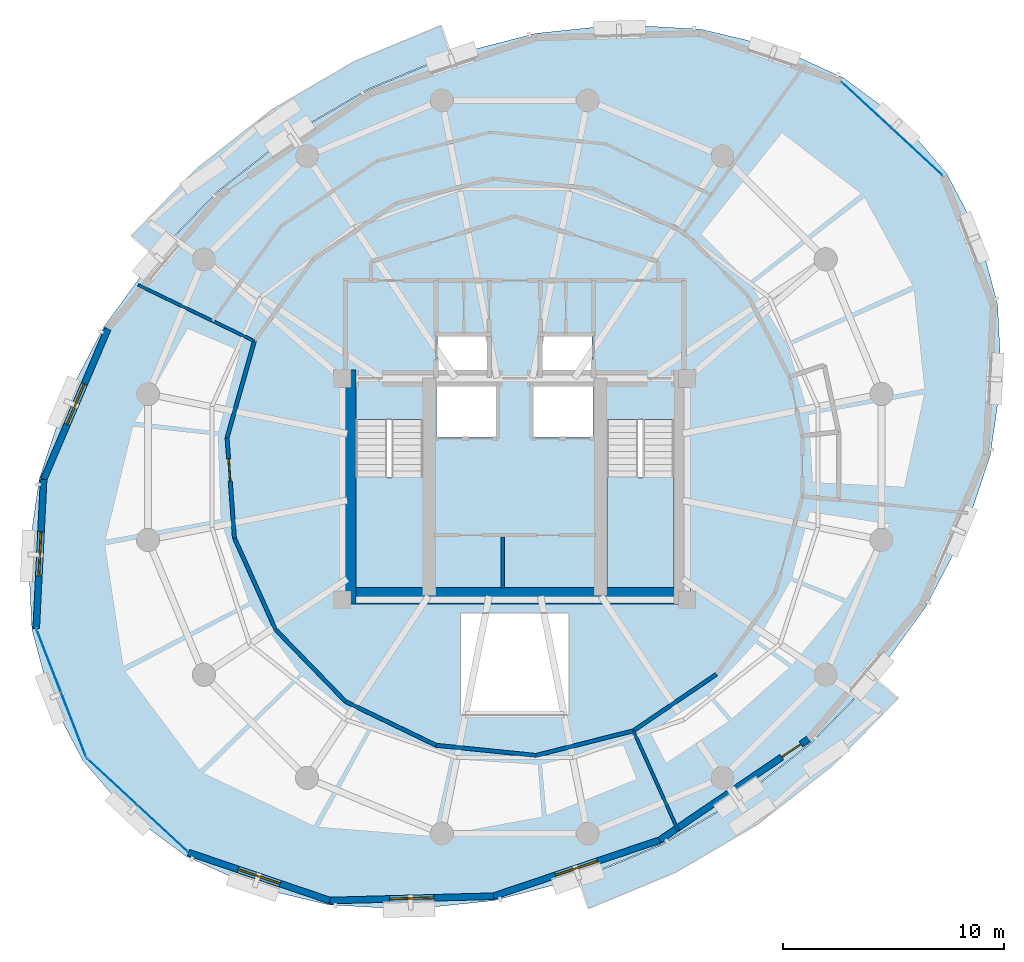
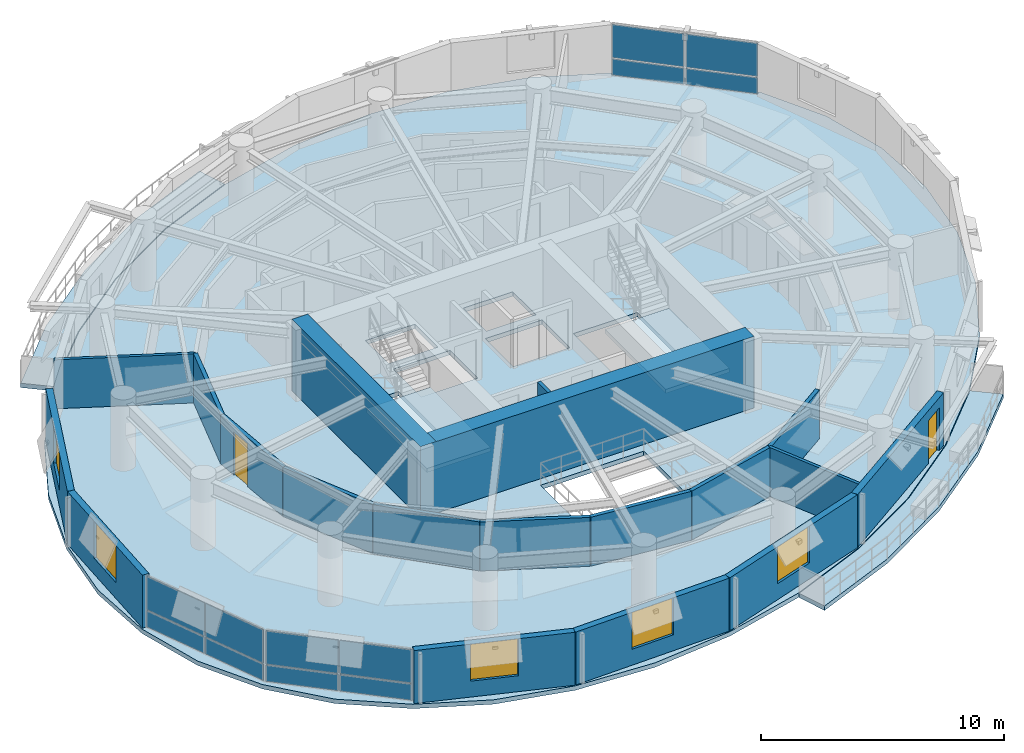
# One storey, part 7 of 12: 19 walls, 12 plates, 5 slabs, 5 windows, 2 doors, 7 openings, 5 elements without a shape of their own.
"""IFC4 building model written with IfcOpenShell, lengths in metres."""

from ifc_helpers import new_model, si_unit, direction, frame, frame_2d, origin, origin_2d, place, context, subcontext, project, spatial, polyline, rectangle, outline, extrude, material, layer, layer_set, type_object, element, fill, aggregate, save


model = new_model("IFC4")

# Units and contexts
model_context = context("Model", 3, precision=1e-05, world=origin(), true_north=direction((0.0, 1.0)))
body_context = subcontext(model_context, "Body", "Model", "MODEL_VIEW")
ifc_project = project(units=[si_unit("LENGTHUNIT", "METRE"), si_unit("AREAUNIT", "SQUARE_METRE"), si_unit("VOLUMEUNIT", "CUBIC_METRE"), si_unit("PLANEANGLEUNIT", "RADIAN"), si_unit("MASSUNIT", "GRAM", prefix="KILO"), si_unit("THERMODYNAMICTEMPERATUREUNIT", "KELVIN"), si_unit("POWERUNIT", "WATT")], contexts=[model_context])

# Site, building, storey
site_placement = place(None, origin())
site = spatial("IfcSite", under=ifc_project, at=site_placement, CompositionType="ELEMENT")
building_placement = place(site_placement, origin())
building = spatial("IfcBuilding", under=site, at=building_placement, Name="Ocrelia Relay Tower", CompositionType="ELEMENT")
storey_placement = place(building_placement, frame((0.0, 0.0, 177.199951171875)))
storey = spatial("IfcBuildingStorey", under=building, at=storey_placement, Name="L42", CompositionType="ELEMENT", Elevation=177.199951171875)

# Curtain wall, plates
ifc_material_1 = material(Name="Aluminium and solar-control low-E glass", Category="aluminium")
ifc_layer_1 = layer(ifc_material_1, 0.179931640625, Name="Aluminium and solar-control low-E glass")
ifc_layer_set_1 = layer_set([ifc_layer_1], Name="Aluminium and solar-control low-E glass")
curtain_wall_type = type_object("IfcCurtainWallType", Name="CW-SYS-Z3-CLOU", PredefinedType="NOTDEFINED", material=ifc_layer_set_1)
curtain_wall_1_placement = place(storey_placement, origin())
curtain_wall_1 = element("IfcCurtainWall", 1, at=curtain_wall_1_placement, inside=storey, type_object=curtain_wall_type, Name="L42 Elliptical Tower Curtain Wall Bay 01", PredefinedType="NOTDEFINED")
ifc_material_2 = material(Name="Clear double-glazed low-E glass", Category="glass")
ifc_layer_2 = layer(ifc_material_2, 0.031982421875, Name="Clear double-glazed low-E glass")
ifc_layer_set_2 = layer_set([ifc_layer_2], Name="Clear double-glazed low-E glass")
plate_type = type_object("IfcPlateType", Name="CW-SYS-Z3-CLOU-PNL", PredefinedType="CURTAIN_PANEL", material=ifc_layer_set_2)
plate_1_placement = place(storey_placement, frame((52.189697265625, 40.2314453125, 0.06005859375), z_axis=(0.0, 0.0, 1.0), x_axis=(-0.733494357886, 0.679695539892, 0.0)))
plate_1 = element("IfcPlate", 2, at=plate_1_placement, type_object=plate_type, Name="CW-Z3 panel 1.1", PredefinedType="CURTAIN_PANEL", context=body_context, shape_type="SweptSolid", body=[
    extrude(rectangle(XDim=3.0439453125, YDim=0.031982421875, at=origin_2d()), origin(), (0.0, 0.0, 1.0), 0.81005859375),
])
plate_2_placement = place(storey_placement, frame((52.189697265625, 40.2314453125, 0.93017578125), z_axis=(0.0, 0.0, 1.0), x_axis=(-0.733494357886, 0.679695539892, 0.0)))
plate_2 = element("IfcPlate", 3, at=plate_2_placement, type_object=plate_type, Name="CW-Z3 panel 1.2", PredefinedType="CURTAIN_PANEL", context=body_context, shape_type="SweptSolid", body=[
    extrude(rectangle(XDim=3.0439453125, YDim=0.031982421875, at=origin_2d()), origin(), (0.0, 0.0, 1.0), 1.669921875),
])
plate_3_placement = place(storey_placement, frame((49.909423828125, 42.344482421875, 0.06005859375), z_axis=(0.0, 0.0, 1.0), x_axis=(-0.733494357886, 0.679695539892, 0.0)))
plate_3 = element("IfcPlate", 4, at=plate_3_placement, type_object=plate_type, Name="CW-Z3 panel 2.1", PredefinedType="CURTAIN_PANEL", context=body_context, shape_type="SweptSolid", body=[
    extrude(rectangle(XDim=3.0439453125, YDim=0.031982421875, at=origin_2d()), origin(), (0.0, 0.0, 1.0), 0.81005859375),
])
plate_4_placement = place(storey_placement, frame((49.909423828125, 42.344482421875, 0.93017578125), z_axis=(0.0, 0.0, 1.0), x_axis=(-0.733494357886, 0.679695539892, 0.0)))
plate_4 = element("IfcPlate", 5, at=plate_4_placement, type_object=plate_type, Name="CW-Z3 panel 2.2", PredefinedType="CURTAIN_PANEL", context=body_context, shape_type="SweptSolid", body=[
    extrude(rectangle(XDim=3.0439453125, YDim=0.031982421875, at=origin_2d()), origin(), (0.0, 0.0, 1.0), 1.669921875),
])
aggregate(curtain_wall_1, [plate_1, plate_2, plate_3, plate_4])

curtain_wall_2_placement = place(storey_placement, origin())
curtain_wall_2 = element("IfcCurtainWall", 6, at=curtain_wall_2_placement, inside=storey, type_object=curtain_wall_type, Name="L42 Elliptical Tower Curtain Wall Bay 09", PredefinedType="NOTDEFINED")
plate_5_placement = place(storey_placement, frame((12.94677734375, 17.224609375, 0.06005859375), z_axis=(0.0, 0.0, 1.0), x_axis=(0.361942340578, -0.932200483854, 0.0)))
plate_5 = element("IfcPlate", 7, at=plate_5_placement, type_object=plate_type, Name="CW-Z3 panel 1.1", PredefinedType="CURTAIN_PANEL", context=body_context, shape_type="SweptSolid", body=[
    extrude(rectangle(XDim=3.0439453125, YDim=0.031982421875, at=origin_2d()), origin(), (0.0, 0.0, 1.0), 0.81005859375),
])
plate_6_placement = place(storey_placement, frame((12.94677734375, 17.224609375, 0.93017578125), z_axis=(0.0, 0.0, 1.0), x_axis=(0.361942340578, -0.932200483854, 0.0)))
plate_6 = element("IfcPlate", 8, at=plate_6_placement, type_object=plate_type, Name="CW-Z3 panel 1.2", PredefinedType="CURTAIN_PANEL", context=body_context, shape_type="SweptSolid", body=[
    extrude(rectangle(XDim=3.0439453125, YDim=0.031982421875, at=origin_2d()), origin(), (0.0, 0.0, 1.0), 1.669921875),
])
plate_7_placement = place(storey_placement, frame((14.072021484375, 14.32666015625, 0.06005859375), z_axis=(0.0, 0.0, 1.0), x_axis=(0.361942340578, -0.932200483854, 0.0)))
plate_7 = element("IfcPlate", 9, at=plate_7_placement, type_object=plate_type, Name="CW-Z3 panel 2.1", PredefinedType="CURTAIN_PANEL", context=body_context, shape_type="SweptSolid", body=[
    extrude(rectangle(XDim=3.0439453125, YDim=0.031982421875, at=origin_2d()), origin(), (0.0, 0.0, 1.0), 0.81005859375),
])
plate_8_placement = place(storey_placement, frame((14.072021484375, 14.32666015625, 0.93017578125), z_axis=(0.0, 0.0, 1.0), x_axis=(0.361942340578, -0.932200483854, 0.0)))
plate_8 = element("IfcPlate", 10, at=plate_8_placement, type_object=plate_type, Name="CW-Z3 panel 2.2", PredefinedType="CURTAIN_PANEL", context=body_context, shape_type="SweptSolid", body=[
    extrude(rectangle(XDim=3.0439453125, YDim=0.031982421875, at=origin_2d()), origin(), (0.0, 0.0, 1.0), 1.669921875),
])
aggregate(curtain_wall_2, [plate_5, plate_6, plate_7, plate_8])

curtain_wall_3_placement = place(storey_placement, origin())
curtain_wall_3 = element("IfcCurtainWall", 11, at=curtain_wall_3_placement, inside=storey, type_object=curtain_wall_type, Name="L42 Elliptical Tower Curtain Wall Bay 10", PredefinedType="NOTDEFINED")
plate_9_placement = place(storey_placement, frame((15.810302734375, 11.7685546875, 0.06005859375), z_axis=(0.0, 0.0, 1.0), x_axis=(0.733494357886, -0.679695539892, 0.0)))
plate_9 = element("IfcPlate", 12, at=plate_9_placement, type_object=plate_type, Name="CW-Z3 panel 1.1", PredefinedType="CURTAIN_PANEL", context=body_context, shape_type="SweptSolid", body=[
    extrude(rectangle(XDim=3.0439453125, YDim=0.031982421875, at=origin_2d()), origin(), (0.0, 0.0, 1.0), 0.81005859375),
])
plate_10_placement = place(storey_placement, frame((15.810302734375, 11.7685546875, 0.93017578125), z_axis=(0.0, 0.0, 1.0), x_axis=(0.733494357886, -0.679695539892, 0.0)))
plate_10 = element("IfcPlate", 13, at=plate_10_placement, type_object=plate_type, Name="CW-Z3 panel 1.2", PredefinedType="CURTAIN_PANEL", context=body_context, shape_type="SweptSolid", body=[
    extrude(rectangle(XDim=3.0439453125, YDim=0.031982421875, at=origin_2d()), origin(), (0.0, 0.0, 1.0), 1.669921875),
])
plate_11_placement = place(storey_placement, frame((18.090576171875, 9.655517578125, 0.06005859375), z_axis=(0.0, 0.0, 1.0), x_axis=(0.733494357886, -0.679695539892, 0.0)))
plate_11 = element("IfcPlate", 14, at=plate_11_placement, type_object=plate_type, Name="CW-Z3 panel 2.1", PredefinedType="CURTAIN_PANEL", context=body_context, shape_type="SweptSolid", body=[
    extrude(rectangle(XDim=3.0439453125, YDim=0.031982421875, at=origin_2d()), origin(), (0.0, 0.0, 1.0), 0.81005859375),
])
plate_12_placement = place(storey_placement, frame((18.090576171875, 9.655517578125, 0.93017578125), z_axis=(0.0, 0.0, 1.0), x_axis=(0.733494357886, -0.679695539892, 0.0)))
plate_12 = element("IfcPlate", 15, at=plate_12_placement, type_object=plate_type, Name="CW-Z3 panel 2.2", PredefinedType="CURTAIN_PANEL", context=body_context, shape_type="SweptSolid", body=[
    extrude(rectangle(XDim=3.0439453125, YDim=0.031982421875, at=origin_2d()), origin(), (0.0, 0.0, 1.0), 1.669921875),
])
aggregate(curtain_wall_3, [plate_9, plate_10, plate_11, plate_12])

# Slabs
ifc_material_3 = material(Name="Precast concrete C40/50", Category="concrete")
ifc_layer_3 = layer(ifc_material_3, 0.219970703125, Name="Precast concrete C40/50")
ifc_layer_set_3 = layer_set([ifc_layer_3], Name="Precast concrete C40/50")
slab_type_1 = type_object("IfcSlabType", Name="SL-BALC-220", PredefinedType="FLOOR", material=ifc_layer_set_3)
slab_1_placement = place(storey_placement, frame((0.0, 0.0, -0.219970703125)))
element("IfcSlab", 16, at=slab_1_placement, inside=storey, type_object=slab_type_1, Name="L42 Planted Loggia Balcony B1", PredefinedType="FLOOR", context=body_context, shape_type="SweptSolid", body=[
    extrude(outline(polyline([(31.106201171875, 44.6328125), (29.2314453125, 43.852783203125), (27.35693359375, 43.072998046875), (23.809326171875, 40.9951171875), (20.5712890625, 38.461669921875), (19.156005859375, 37.005615234375), (17.740966796875, 35.5498046875), (16.67578125, 36.448486328125), (18.158203125, 37.973388671875), (19.640380859375, 39.498291015625), (23.0263671875, 42.147216796875), (26.73583984375, 44.3203125), (28.69921875, 45.136962890625), (30.662841796875, 45.953857421875), (31.106201171875, 44.6328125)])), origin(), (0.0, 0.0, 1.0), 0.219970703125),
])
slab_2_placement = place(storey_placement, frame((0.0, 0.0, -0.219970703125)))
element("IfcSlab", 17, at=slab_2_placement, inside=storey, type_object=slab_type_1, Name="L42 Planted Loggia Balcony B2", PredefinedType="FLOOR", context=body_context, shape_type="SweptSolid", body=[
    extrude(outline(polyline([(36.893798828125, 7.3671875), (38.7685546875, 8.147216796875), (40.64306640625, 8.927001953125), (44.190673828125, 11.0048828125), (47.4287109375, 13.538330078125), (48.843994140625, 14.994140625), (50.259033203125, 16.4501953125), (51.32421875, 15.551513671875), (49.841796875, 14.026611328125), (48.359619140625, 12.501708984375), (44.9736328125, 9.852783203125), (41.26416015625, 7.6796875), (39.30078125, 6.863037109375), (37.337158203125, 6.046142578125), (36.893798828125, 7.3671875)])), origin(), (0.0, 0.0, 1.0), 0.219970703125),
])
ifc_material_4 = material(Name="Concrete C50/60", Category="concrete")
ifc_layer_4 = layer(ifc_material_4, 0.219970703125, Name="Concrete C50/60")
ifc_layer_set_4 = layer_set([ifc_layer_4], Name="Concrete C50/60")
slab_type_2 = type_object("IfcSlabType", Name="SL-FLR-220", PredefinedType="FLOOR", material=ifc_layer_set_4)
slab_3_placement = place(storey_placement, frame((0.0, 0.0, -0.219970703125)))
element("IfcSlab", 18, at=slab_3_placement, inside=storey, type_object=slab_type_2, Name="L42 Elliptical Tower Floor Slab", PredefinedType="FLOOR", context=body_context, shape_type="SweptSolid", body=[
    extrude(outline(polyline([(53.51904296875, 39.26513671875), (51.455810546875, 41.6630859375), (48.8623046875, 43.585205078125), (45.817138671875, 44.97314453125), (42.4130859375, 45.7841796875), (38.753173828125, 45.994384765625), (34.948974609375, 45.59716796875), (31.11572265625, 44.604248046875), (27.370361328125, 43.046142578125), (23.826416015625, 40.97021484375), (20.59130859375, 38.439208984375), (17.763916015625, 35.530517578125), (15.4296875, 32.33203125), (13.659912109375, 28.941162109375), (12.508056640625, 25.4609375), (12.009033203125, 21.9970703125), (12.178466796875, 18.65478515625), (13.0107421875, 15.535888671875), (14.48095703125, 12.73486328125), (16.544189453125, 10.3369140625), (19.1376953125, 8.414794921875), (22.182861328125, 7.02685546875), (25.5869140625, 6.2158203125), (29.246826171875, 6.005615234375), (33.051025390625, 6.40283203125), (36.88427734375, 7.395751953125), (40.629638671875, 8.953857421875), (44.173583984375, 11.02978515625), (47.40869140625, 13.560791015625), (50.236083984375, 16.469482421875), (52.5703125, 19.66796875), (54.340087890625, 23.058837890625), (55.491943359375, 26.5390625), (55.990966796875, 30.0029296875), (55.821533203125, 33.34521484375), (54.9892578125, 36.464111328125), (53.51904296875, 39.26513671875)]), holes=[polyline([(26.81005859375, 28.14990234375), (26.81005859375, 20.550048828125), (29.85009765625, 20.550048828125), (29.85009765625, 28.14990234375), (26.81005859375, 28.14990234375)]), polyline([(38.159912109375, 28.14990234375), (38.159912109375, 20.550048828125), (41.199951171875, 20.550048828125), (41.199951171875, 28.14990234375), (38.159912109375, 28.14990234375)]), polyline([(30.4599609375, 27.35009765625), (33.159912109375, 27.35009765625), (33.159912109375, 29.64990234375), (30.4599609375, 29.64990234375), (30.4599609375, 27.35009765625)]), polyline([(34.840087890625, 27.35009765625), (37.5400390625, 27.35009765625), (37.5400390625, 29.64990234375), (34.840087890625, 29.64990234375), (34.840087890625, 27.35009765625)]), polyline([(30.5, 30.10009765625), (32.85009765625, 30.10009765625), (32.85009765625, 32.0), (30.5, 32.0), (30.5, 30.10009765625)]), polyline([(35.14990234375, 30.10009765625), (37.5, 30.10009765625), (37.5, 32.0), (35.14990234375, 32.0), (35.14990234375, 30.10009765625)]), polyline([(31.550048828125, 14.800048828125), (36.449951171875, 14.800048828125), (36.449951171875, 19.39990234375), (31.550048828125, 19.39990234375), (31.550048828125, 14.800048828125)])]), origin(), (0.0, 0.0, 1.0), 0.219970703125),
])

# Stair, slab
stair_type = type_object("IfcStairType", Name="ST-DL-1420-R180", PredefinedType="HALF_TURN_STAIR", material=ifc_material_4)
stair_1_placement = place(storey_placement, origin())
stair_1 = element("IfcStair", 19, at=stair_1_placement, inside=storey, type_object=stair_type, Name="L42 West Core Exit Stair ST1", PredefinedType="HALF_TURN_STAIR")
ifc_layer_5 = layer(ifc_material_4, 0.199951171875, Name="Concrete C50/60")
ifc_layer_set_5 = layer_set([ifc_layer_5], Name="Concrete C50/60")
slab_type_3 = type_object("IfcSlabType", Name="SL-LANDING-200", PredefinedType="LANDING", material=ifc_layer_set_5)
slab_4_placement = place(storey_placement, frame((0.0, 0.0, 1.60009765625)))
slab_4 = element("IfcSlab", 20, at=slab_4_placement, type_object=slab_type_3, Name="ST1 landing 1", PredefinedType="LANDING", context=body_context, shape_type="SweptSolid", body=[
    extrude(outline(polyline([(26.81005859375, 25.5400390625), (26.81005859375, 20.550048828125), (29.85009765625, 20.550048828125), (29.85009765625, 25.5400390625), (26.81005859375, 25.5400390625)])), origin(), (0.0, 0.0, 1.0), 0.199951171875),
])
aggregate(stair_1, [slab_4])

stair_2_placement = place(storey_placement, origin())
stair_2 = element("IfcStair", 21, at=stair_2_placement, inside=storey, type_object=stair_type, Name="L42 East Core Exit Stair ST2", PredefinedType="HALF_TURN_STAIR")
slab_5_placement = place(storey_placement, frame((0.0, 0.0, 1.60009765625)))
slab_5 = element("IfcSlab", 22, at=slab_5_placement, type_object=slab_type_3, Name="ST2 landing 1", PredefinedType="LANDING", context=body_context, shape_type="SweptSolid", body=[
    extrude(outline(polyline([(38.159912109375, 25.5400390625), (38.159912109375, 20.550048828125), (41.199951171875, 20.550048828125), (41.199951171875, 25.5400390625), (38.159912109375, 25.5400390625)])), origin(), (0.0, 0.0, 1.0), 0.199951171875),
])
aggregate(stair_2, [slab_5])

# Walls
ifc_material_5 = material(Name="Concrete C60/75", Category="concrete")
ifc_layer_6 = layer(ifc_material_5, 0.75, Name="Concrete C60/75")
ifc_layer_set_6 = layer_set([ifc_layer_6], Name="Concrete C60/75")
wall_type_1 = type_object("IfcWallType", Name="CW-CORE-750", PredefinedType="SHEAR", material=ifc_layer_set_6)
wall_1_placement = place(storey_placement, frame((26.072021484375, 20.18701171875, 0.0), z_axis=(0.0, 0.0, 1.0), x_axis=(1.0, 0.0, 0.0)))
element("IfcWall", 23, at=wall_1_placement, inside=storey, type_object=wall_type_1, Name="L42 Core Shear Wall S", PredefinedType="SHEAR", context=body_context, shape_type="SweptSolid", body=[
    extrude(rectangle(XDim=15.865966796875, YDim=0.75, at=frame_2d((7.93310546875, 0.0))), origin(), (0.0, 0.0, 1.0), 3.60009765625),
])
wall_2_placement = place(storey_placement, frame((26.447021484375, 19.81201171875, 0.0), z_axis=(0.0, 0.0, 1.0), x_axis=(0.0, 1.0, 0.0)))
element("IfcWall", 24, at=wall_2_placement, inside=storey, type_object=wall_type_1, Name="L42 Core Shear Wall W", PredefinedType="SHEAR", context=body_context, shape_type="SweptSolid", body=[
    extrude(rectangle(XDim=10.575927734375, YDim=0.75, at=frame_2d((5.2880859375, 0.0))), origin(), (0.0, 0.0, 1.0), 3.60009765625),
])
ifc_material_6 = material(Name="Gypsum Fireboard Partition EI60", Category="gypsum")
ifc_layer_7 = layer(ifc_material_6, 0.179931640625, Name="Gypsum Fireboard Partition EI60")
ifc_layer_set_7 = layer_set([ifc_layer_7], Name="Gypsum Fireboard Partition EI60")
wall_type_2 = type_object("IfcWallType", Name="W-CORR-EI60-180", PredefinedType="PARTITIONING", material=ifc_layer_set_7)
wall_3_placement = place(storey_placement, frame((22.23291015625, 31.6884765625, 0.0), z_axis=(0.0, 0.0, 1.0), x_axis=(-0.272312130747, -0.962208970779, 0.0)))
element("IfcWall", 25, at=wall_3_placement, inside=storey, type_object=wall_type_2, Name="L42 Architecture Seminar Room Corridor Partition 1", PredefinedType="PARTITIONING", context=body_context, shape_type="SweptSolid", body=[
    extrude(rectangle(XDim=4.539306640625, YDim=0.179931640625, at=frame_2d((2.26953125, 0.0))), origin(), (0.0, 0.0, 1.0), 2.4599609375),
])

# Wall, opening, door
wall_4_placement = place(storey_placement, frame((20.996826171875, 27.32080078125, 0.0), z_axis=(0.0, 0.0, 1.0), x_axis=(0.073253560974, -0.997313348855, 0.0)))
wall_4 = element("IfcWall", 26, at=wall_4_placement, inside=storey, type_object=wall_type_2, Name="L42 Architecture Seminar Room Corridor Partition 2", PredefinedType="PARTITIONING", context=body_context, shape_type="SweptSolid", body=[
    extrude(rectangle(XDim=4.539306640625, YDim=0.179931640625, at=frame_2d((2.26953125, 0.0))), origin(), (0.0, 0.0, 1.0), 2.4599609375),
])
opening_1_placement = place(wall_4_placement, frame((0.959716796875, 0.0, 0.0)))
opening_1 = element("IfcOpeningElement", 27, at=opening_1_placement, cuts=wall_4, Name="Opening D-RM100", PredefinedType="OPENING", context=body_context, shape_type="SweptSolid", body=[
    extrude(rectangle(XDim=1.0, YDim=2.14990234375, at=frame_2d((0.5, 1.074951171875))), frame((0.0, 0.10009765625, 0.0), z_axis=(0.0, -1.0, 0.0), x_axis=(1.0, 0.0, 0.0)), (0.0, 0.0, 1.0), 0.199951171875),
])
ifc_material_7 = material(Name="Acoustic oak veneer fire door", Category="wood")
door_type_1 = type_object("IfcDoorType", Name="DR-ROOM-FD60-1000", OperationType="NOTDEFINED", PredefinedType="DOOR", material=ifc_material_7)
door_1_placement = place(opening_1_placement, origin())
door_1 = element("IfcDoor", 28, at=door_1_placement, inside=storey, type_object=door_type_1, Name="L42 Architecture Seminar Room Entrance Door", OperationType="SINGLE_SWING_RIGHT", OverallHeight=2.14990234375, OverallWidth=1.0, PredefinedType="DOOR", context=body_context, shape_type="SweptSolid", body=[
    extrude(rectangle(XDim=1.0, YDim=2.14990234375, at=frame_2d((0.5, 1.074951171875))), frame((0.0, 0.02490234375, 0.0), z_axis=(0.0, -1.0, 0.0), x_axis=(1.0, 0.0, 0.0)), (0.0, 0.0, 1.0), 0.050048828125),
])
fill(opening_1, door_1)

# Walls
for number, where, z_axis, x_axis, name in (
    (29, (21.329345703125, 22.793701171875, 0.0), (0.0, 0.0, 1.0), (0.409957606553, -0.912104577792, 0.0), "L42 Architecture Seminar Room Corridor Partition 3"),
    (30, (23.190185546875, 18.653564453125, 0.0), (0.0, 0.0, 1.0), (0.697140605873, -0.716934429109, 0.0), "L42 Architecture Seminar Room Corridor Partition 4"),
):
    element("IfcWall", number, at=place(storey_placement, frame(where, z_axis=z_axis, x_axis=x_axis)), inside=storey, type_object=wall_type_2, Name=name, PredefinedType="PARTITIONING", context=body_context, shape_type="SweptSolid", body=[
        extrude(rectangle(XDim=4.5390625, YDim=0.179931640625, at=frame_2d((2.26953125, 0.0))), origin(), (0.0, 0.0, 1.0), 2.4599609375),
    ])
wall_5_placement = place(storey_placement, frame((26.3544921875, 15.3994140625, 0.0), z_axis=(0.0, 0.0, 1.0), x_axis=(0.9003278794, -0.435212258071, 0.0)))
element("IfcWall", 31, at=wall_5_placement, inside=storey, type_object=wall_type_2, Name="L42 Architecture Seminar Room Corridor Partition 5", PredefinedType="PARTITIONING", context=body_context, shape_type="SweptSolid", body=[
    extrude(rectangle(XDim=4.539306640625, YDim=0.179931640625, at=frame_2d((2.26953125, 0.0))), origin(), (0.0, 0.0, 1.0), 2.4599609375),
])
for number, where, z_axis, x_axis, name in (
    (32, (30.44140625, 13.423828125, 0.0), (0.0, 0.0, 1.0), (0.994879934128, -0.101063923676, 0.0), "L42 Architecture Seminar Room Corridor Partition 6"),
    (33, (34.957275390625, 12.965087890625, 0.0), (0.0, 0.0, 1.0), (0.969442448199, 0.245318852987, 0.0), "L42 Architecture Seminar Room Corridor Partition 7"),
    (34, (39.357666015625, 14.07861328125, 0.0), (0.0, 0.0, 1.0), (0.82708553546, 0.56207607762, 0.0), "L42 Shift Staff Lounge Corridor Partition 1"),
):
    element("IfcWall", number, at=place(storey_placement, frame(where, z_axis=z_axis, x_axis=x_axis)), inside=storey, type_object=wall_type_2, Name=name, PredefinedType="PARTITIONING", context=body_context, shape_type="SweptSolid", body=[
        extrude(rectangle(XDim=4.5390625, YDim=0.179931640625, at=frame_2d((2.26953125, 0.0))), origin(), (0.0, 0.0, 1.0), 2.4599609375),
    ])

# Wall, opening, window
ifc_material_8 = material(Name="Precast concrete C40/50 with oxide terracotta", Category="masonry")
ifc_layer_8 = layer(ifc_material_8, 0.300048828125, Name="Precast concrete C40/50 with oxide terracotta")
ifc_layer_set_8 = layer_set([ifc_layer_8], Name="Precast concrete C40/50 with oxide terracotta")
wall_type_3 = type_object("IfcWallType", Name="W-EXT-TERR-300", PredefinedType="SOLIDWALL", material=ifc_layer_set_8)
wall_6_placement = place(storey_placement, frame((15.60986328125, 32.244873046875, 0.0), z_axis=(0.0, 0.0, 1.0), x_axis=(-0.392433101066, -0.91978055056, 0.0)))
wall_6 = element("IfcWall", 35, at=wall_6_placement, inside=storey, type_object=wall_type_3, Name="L42 Oxide Terracotta Facade Wall 07", PredefinedType="SOLIDWALL", context=body_context, shape_type="SweptSolid", body=[
    extrude(rectangle(XDim=7.397705078125, YDim=0.300048828125, at=frame_2d((3.69873046875, 0.0))), origin(), (0.0, 0.0, 1.0), 2.66015625),
])
opening_2_placement = place(wall_6_placement, frame((2.698974609375, 0.0, 0.800048828125)))
opening_2 = element("IfcOpeningElement", 36, at=opening_2_placement, cuts=wall_6, Name="Opening W-03", PredefinedType="OPENING", context=body_context, shape_type="SweptSolid", body=[
    extrude(rectangle(XDim=2.0, YDim=1.85009765625, at=frame_2d((1.0, 0.925048828125))), frame((0.0, 0.16015625, 0.0), z_axis=(0.0, -1.0, 0.0), x_axis=(1.0, 0.0, 0.0)), (0.0, 0.0, 1.0), 0.320068359375),
])
window_type = type_object("IfcWindowType", Name="WIN-Z3-2000x2200", PartitioningType="DOUBLE_PANEL_VERTICAL", PredefinedType="WINDOW", material=ifc_material_2)
window_1_placement = place(opening_2_placement, origin())
window_1 = element("IfcWindow", 37, at=window_1_placement, inside=storey, type_object=window_type, Name="L42 Facade Module Window 07", OverallHeight=1.85009765625, OverallWidth=2.0, PartitioningType="SINGLE_PANEL", PredefinedType="WINDOW", context=body_context, shape_type="SweptSolid", body=[
    extrude(rectangle(XDim=2.0, YDim=1.85009765625, at=frame_2d((1.0, 0.925048828125))), frame((0.0, 0.030029296875, 0.0), z_axis=(0.0, -1.0, 0.0), x_axis=(1.0, 0.0, 0.0)), (0.0, 0.0, 1.0), 0.06005859375),
])
fill(opening_2, window_1)

wall_7_placement = place(storey_placement, frame((12.706787109375, 25.440673828125, 0.0), z_axis=(0.0, 0.0, 1.0), x_axis=(-0.049589188856, -0.998769699354, 0.0)))
wall_7 = element("IfcWall", 38, at=wall_7_placement, inside=storey, type_object=wall_type_3, Name="L42 Oxide Terracotta Facade Wall 08", PredefinedType="SOLIDWALL", context=body_context, shape_type="SweptSolid", body=[
    extrude(rectangle(XDim=6.744873046875, YDim=0.300048828125, at=frame_2d((3.37255859375, 0.0))), origin(), (0.0, 0.0, 1.0), 2.66015625),
])
opening_3_placement = place(wall_7_placement, frame((2.373046875, 0.0, 0.800048828125)))
opening_3 = element("IfcOpeningElement", 39, at=opening_3_placement, cuts=wall_7, Name="Opening W-03", PredefinedType="OPENING", context=body_context, shape_type="SweptSolid", body=[
    extrude(rectangle(XDim=2.0, YDim=1.85009765625, at=frame_2d((1.0, 0.925048828125))), frame((0.0, 0.16015625, 0.0), z_axis=(0.0, -1.0, 0.0), x_axis=(1.0, 0.0, 0.0)), (0.0, 0.0, 1.0), 0.320068359375),
])
window_2_placement = place(opening_3_placement, origin())
window_2 = element("IfcWindow", 40, at=window_2_placement, inside=storey, type_object=window_type, Name="L42 Facade Module Window 08", OverallHeight=1.85009765625, OverallWidth=2.0, PartitioningType="SINGLE_PANEL", PredefinedType="WINDOW", context=body_context, shape_type="SweptSolid", body=[
    extrude(rectangle(XDim=2.0, YDim=1.85009765625, at=frame_2d((1.0, 0.925048828125))), frame((0.0, 0.030029296875, 0.0), z_axis=(0.0, -1.0, 0.0), x_axis=(1.0, 0.0, 0.0)), (0.0, 0.0, 1.0), 0.06005859375),
])
fill(opening_3, window_2)

wall_8_placement = place(storey_placement, frame((19.254638671875, 8.576904296875, 0.0), z_axis=(0.0, 0.0, 1.0), x_axis=(0.946902174018, -0.321521807721, 0.0)))
wall_8 = element("IfcWall", 41, at=wall_8_placement, inside=storey, type_object=wall_type_3, Name="L42 Oxide Terracotta Facade Wall 11", PredefinedType="SOLIDWALL", context=body_context, shape_type="SweptSolid", body=[
    extrude(rectangle(XDim=6.7451171875, YDim=0.300048828125, at=frame_2d((3.37255859375, 0.0))), origin(), (0.0, 0.0, 1.0), 2.66015625),
])
opening_4_placement = place(wall_8_placement, frame((2.373046875, 0.0, 0.800048828125)))
opening_4 = element("IfcOpeningElement", 42, at=opening_4_placement, cuts=wall_8, Name="Opening W-03", PredefinedType="OPENING", context=body_context, shape_type="SweptSolid", body=[
    extrude(rectangle(XDim=2.0, YDim=1.85009765625, at=frame_2d((1.0, 0.925048828125))), frame((0.0, 0.16015625, 0.0), z_axis=(0.0, -1.0, 0.0), x_axis=(1.0, 0.0, 0.0)), (0.0, 0.0, 1.0), 0.320068359375),
])
window_3_placement = place(opening_4_placement, origin())
window_3 = element("IfcWindow", 43, at=window_3_placement, inside=storey, type_object=window_type, Name="L42 Facade Module Window 11", OverallHeight=1.85009765625, OverallWidth=2.0, PartitioningType="SINGLE_PANEL", PredefinedType="WINDOW", context=body_context, shape_type="SweptSolid", body=[
    extrude(rectangle(XDim=2.0, YDim=1.85009765625, at=frame_2d((1.0, 0.925048828125))), frame((0.0, 0.030029296875, 0.0), z_axis=(0.0, -1.0, 0.0), x_axis=(1.0, 0.0, 0.0)), (0.0, 0.0, 1.0), 0.06005859375),
])
fill(opening_4, window_3)

wall_9_placement = place(storey_placement, frame((25.6416015625, 6.408203125, 0.0), z_axis=(0.0, 0.0, 1.0), x_axis=(0.999655744088, 0.026237250464, 0.0)))
wall_9 = element("IfcWall", 44, at=wall_9_placement, inside=storey, type_object=wall_type_3, Name="L42 Oxide Terracotta Facade Wall 12", PredefinedType="SOLIDWALL", context=body_context, shape_type="SweptSolid", body=[
    extrude(rectangle(XDim=7.3974609375, YDim=0.300048828125, at=frame_2d((3.69873046875, 0.0))), origin(), (0.0, 0.0, 1.0), 2.66015625),
])
opening_5_placement = place(wall_9_placement, frame((2.698974609375, 0.0, 0.800048828125)))
opening_5 = element("IfcOpeningElement", 45, at=opening_5_placement, cuts=wall_9, Name="Opening W-03", PredefinedType="OPENING", context=body_context, shape_type="SweptSolid", body=[
    extrude(rectangle(XDim=2.0, YDim=1.85009765625, at=frame_2d((1.0, 0.925048828125))), frame((0.0, 0.16015625, 0.0), z_axis=(0.0, -1.0, 0.0), x_axis=(1.0, 0.0, 0.0)), (0.0, 0.0, 1.0), 0.320068359375),
])
window_4_placement = place(opening_5_placement, origin())
window_4 = element("IfcWindow", 46, at=window_4_placement, inside=storey, type_object=window_type, Name="L42 Facade Module Window 12", OverallHeight=1.85009765625, OverallWidth=2.0, PartitioningType="SINGLE_PANEL", PredefinedType="WINDOW", context=body_context, shape_type="SweptSolid", body=[
    extrude(rectangle(XDim=2.0, YDim=1.85009765625, at=frame_2d((1.0, 0.925048828125))), frame((0.0, 0.030029296875, 0.0), z_axis=(0.0, -1.0, 0.0), x_axis=(1.0, 0.0, 0.0)), (0.0, 0.0, 1.0), 0.06005859375),
])
fill(opening_5, window_4)

wall_10_placement = place(storey_placement, frame((33.03662109375, 6.602294921875, 0.0), z_axis=(0.0, 0.0, 1.0), x_axis=(0.9475313485, 0.319662859291, 0.0)))
wall_10 = element("IfcWall", 47, at=wall_10_placement, inside=storey, type_object=wall_type_3, Name="L42 Oxide Terracotta Facade Wall 13", PredefinedType="SOLIDWALL", context=body_context, shape_type="SweptSolid", body=[
    extrude(rectangle(XDim=7.927001953125, YDim=0.300048828125, at=frame_2d((3.96337890625, 0.0))), origin(), (0.0, 0.0, 1.0), 2.66015625),
])
opening_6_placement = place(wall_10_placement, frame((2.964111328125, 0.0, 0.800048828125)))
opening_6 = element("IfcOpeningElement", 48, at=opening_6_placement, cuts=wall_10, Name="Opening W-03", PredefinedType="OPENING", context=body_context, shape_type="SweptSolid", body=[
    extrude(rectangle(XDim=2.0, YDim=1.85009765625, at=frame_2d((1.0, 0.925048828125))), frame((0.0, 0.16015625, 0.0), z_axis=(0.0, -1.0, 0.0), x_axis=(1.0, 0.0, 0.0)), (0.0, 0.0, 1.0), 0.320068359375),
])
window_5_placement = place(opening_6_placement, origin())
window_5 = element("IfcWindow", 49, at=window_5_placement, inside=storey, type_object=window_type, Name="L42 Facade Module Window 13", OverallHeight=1.85009765625, OverallWidth=2.0, PartitioningType="SINGLE_PANEL", PredefinedType="WINDOW", context=body_context, shape_type="SweptSolid", body=[
    extrude(rectangle(XDim=2.0, YDim=1.85009765625, at=frame_2d((1.0, 0.925048828125))), frame((0.0, 0.030029296875, 0.0), z_axis=(0.0, -1.0, 0.0), x_axis=(1.0, 0.0, 0.0)), (0.0, 0.0, 1.0), 0.06005859375),
])
fill(opening_6, window_5)

# Wall, opening, door
wall_11_placement = place(storey_placement, frame((40.547607421875, 9.13623046875, 0.0), z_axis=(0.0, 0.0, 1.0), x_axis=(0.827090739504, 0.56206841988, 0.0)))
wall_11 = element("IfcWall", 50, at=wall_11_placement, inside=storey, type_object=wall_type_3, Name="L42 Oxide Terracotta Facade Wall 14", PredefinedType="SOLIDWALL", context=body_context, shape_type="SweptSolid", body=[
    extrude(rectangle(XDim=8.126953125, YDim=0.300048828125, at=frame_2d((4.0634765625, 0.0))), origin(), (0.0, 0.0, 1.0), 2.66015625),
])
opening_7_placement = place(wall_11_placement, frame((6.669921875, 0.0, 0.0)))
opening_7 = element("IfcOpeningElement", 51, at=opening_7_placement, cuts=wall_11, Name="Opening DB-105", PredefinedType="OPENING", context=body_context, shape_type="SweptSolid", body=[
    extrude(rectangle(XDim=1.050048828125, YDim=2.14990234375, at=frame_2d((0.52490234375, 1.074951171875))), frame((0.0, 0.16015625, 0.0), z_axis=(0.0, -1.0, 0.0), x_axis=(1.0, 0.0, 0.0)), (0.0, 0.0, 1.0), 0.320068359375),
])
ifc_material_9 = material(Name="Thermally broken aluminium and clear glass", Category="aluminium")
door_type_2 = type_object("IfcDoorType", Name="DR-BALC-1050", OperationType="NOTDEFINED", PredefinedType="DOOR", material=ifc_material_9)
door_2_placement = place(opening_7_placement, origin())
door_2 = element("IfcDoor", 52, at=door_2_placement, inside=storey, type_object=door_type_2, Name="L42 Planted Loggia Balcony Door B2", OperationType="SINGLE_SWING_LEFT", OverallHeight=2.14990234375, OverallWidth=1.050048828125, PredefinedType="DOOR", context=body_context, shape_type="SweptSolid", body=[
    extrude(rectangle(XDim=1.050048828125, YDim=2.14990234375, at=frame_2d((0.52490234375, 1.074951171875))), frame((0.0, 0.02490234375, 0.0), z_axis=(0.0, -1.0, 0.0), x_axis=(1.0, 0.0, 0.0)), (0.0, 0.0, 1.0), 0.050048828125),
])
fill(opening_7, door_2)

# Walls
ifc_material_10 = material(Name="Acoustic Fireboard Partition EI60", Category="gypsum")
ifc_layer_9 = layer(ifc_material_10, 0.139892578125, Name="Acoustic Fireboard Partition EI60")
ifc_layer_set_9 = layer_set([ifc_layer_9], Name="Acoustic Fireboard Partition EI60")
wall_type_4 = type_object("IfcWallType", Name="W-PART-140", PredefinedType="PARTITIONING", material=ifc_layer_set_9)
wall_12_placement = place(storey_placement, frame((22.23291015625, 31.6884765625, 0.0), z_axis=(0.0, 0.0, 1.0), x_axis=(-0.900327922474, 0.435212168963, 0.0)))
element("IfcWall", 53, at=wall_12_placement, inside=storey, type_object=wall_type_4, Name="L42 Cybersecurity Conference Room Radial Partition", PredefinedType="PARTITIONING", context=body_context, shape_type="SweptSolid", body=[
    extrude(rectangle(XDim=5.83740234375, YDim=0.139892578125, at=frame_2d((2.918701171875, 0.0))), origin(), (0.0, 0.0, 1.0), 2.4599609375),
])
wall_13_placement = place(storey_placement, frame((39.357666015625, 14.07861328125, 0.0), z_axis=(0.0, 0.0, 1.0), x_axis=(0.409947734963, -0.912109014646, 0.0)))
element("IfcWall", 54, at=wall_13_placement, inside=storey, type_object=wall_type_4, Name="L42 Architecture Seminar Room Radial Partition", PredefinedType="PARTITIONING", context=body_context, shape_type="SweptSolid", body=[
    extrude(rectangle(XDim=4.94287109375, YDim=0.139892578125, at=frame_2d((2.471435546875, 0.0))), origin(), (0.0, 0.0, 1.0), 2.4599609375),
])
ifc_layer_10 = layer(ifc_material_10, 0.14990234375, Name="Acoustic Fireboard Partition EI60")
ifc_layer_set_10 = layer_set([ifc_layer_10], Name="Acoustic Fireboard Partition EI60")
wall_type_5 = type_object("IfcWallType", Name="W-PART-150", PredefinedType="PARTITIONING", material=ifc_layer_set_10)
wall_14_placement = place(storey_placement, frame((33.4599609375, 20.5, 0.0), z_axis=(0.0, 0.0, 1.0), x_axis=(0.0, 1.0, 0.0)))
element("IfcWall", 55, at=wall_14_placement, inside=storey, type_object=wall_type_5, Name="L42 Reclaimed Core Dividing Wall", PredefinedType="PARTITIONING", context=body_context, shape_type="SweptSolid", body=[
    extrude(rectangle(XDim=2.340087890625, YDim=0.14990234375, at=frame_2d((1.169921875, 0.0))), origin(), (0.0, 0.0, 1.0), 2.4599609375),
])

save(model, "model.ifc")
